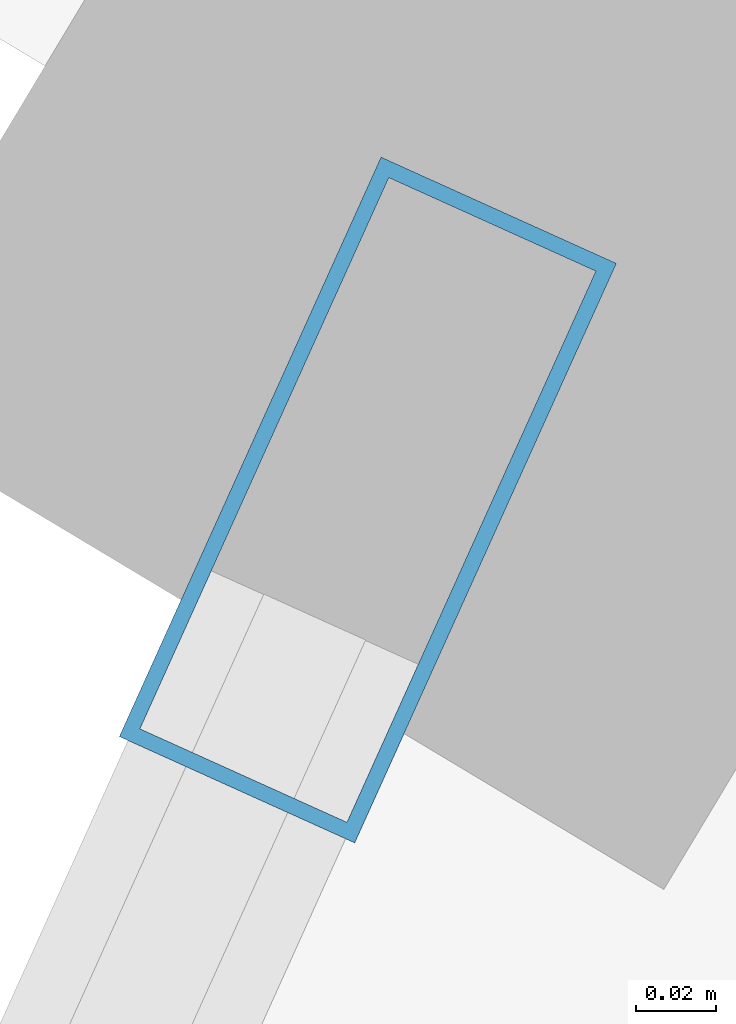
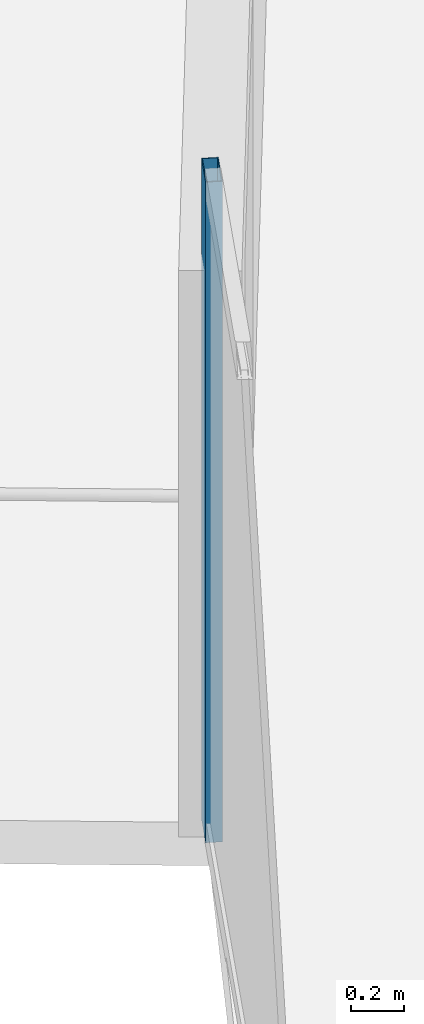
# One storey, part 11 of 33: 1 member, 1 element without a shape of its own.
"""IFC4 building model written with IfcOpenShell, lengths in metres."""

from ifc_helpers import new_model, si_unit, direction, frame, origin, origin_2d, place, context, subcontext, project, spatial, hollow_rectangle, extrude, material, layer, layer_set, material_profile, profile_set, type_object, element, aggregate, save


model = new_model("IFC4")

# Units and contexts
model_context = context("Model", 3, precision=1e-05, world=origin(), true_north=direction((0.0, 1.0)))
body_context = subcontext(model_context, "Body", "Model", "MODEL_VIEW")
ifc_project = project(units=[si_unit("LENGTHUNIT", "METRE"), si_unit("AREAUNIT", "SQUARE_METRE"), si_unit("VOLUMEUNIT", "CUBIC_METRE"), si_unit("PLANEANGLEUNIT", "RADIAN"), si_unit("MASSUNIT", "GRAM", prefix="KILO")], contexts=[model_context])

# Site, building, storey
site_placement = place(None, origin())
site = spatial("IfcSite", under=ifc_project, at=site_placement, CompositionType="ELEMENT")
building_placement = place(site_placement, origin())
building = spatial("IfcBuilding", under=site, at=building_placement, Name="Orvanel Arch Residences", CompositionType="ELEMENT")
storey_placement = place(building_placement, frame((0.0, 0.0, 209.60009765625)))
storey = spatial("IfcBuildingStorey", under=building, at=storey_placement, Name="L59", CompositionType="ELEMENT", Elevation=209.60009765625)

# Curtain wall, member
ifc_material = material(Name="Bronze-anodised aluminium AA6063-T6", Category="aluminium")
ifc_layer = layer(ifc_material, 0.175048828125)
ifc_layer_set = layer_set([ifc_layer], Name="Bronze-anodised aluminium AA6063-T6")
curtain_wall_type = type_object("IfcCurtainWallType", Name="CW4-HI-SYS", PredefinedType="NOTDEFINED", material=ifc_layer_set)
curtain_wall_placement = place(storey_placement, origin())
curtain_wall = element("IfcCurtainWall", 1, at=curtain_wall_placement, inside=storey, type_object=curtain_wall_type, Name="L59 CW4-HI-SYS Unitised Curtain Wall", PredefinedType="NOTDEFINED")
ifc_material_profile = material_profile(ifc_material, hollow_rectangle(XDim=0.06494140625, YDim=0.159912109375, WallThickness=0.00390625, at=origin_2d()), Name="ALU160x65x4")
ifc_profile_set = profile_set([ifc_material_profile], Name="Bronze-anodised aluminium AA6063-T6")
member_type = type_object("IfcMemberType", Name="MUL-160x65", PredefinedType="MULLION", material=ifc_profile_set)
member_placement = place(storey_placement, frame((16.046630859375, 24.311279296875, 0.0), z_axis=(0.0, 0.0, 1.0), x_axis=(0.911395859217, -0.411530785971, 0.0)))
member = element("IfcMember", 2, at=member_placement, type_object=member_type, Name="CW-S4 mullion 1", PredefinedType="MULLION", context=body_context, shape_type="SweptSolid", body=[
    extrude(hollow_rectangle(XDim=0.06494140625, YDim=0.159912109375, WallThickness=0.00390625, at=origin_2d()), origin(), (0.0, 0.0, 1.0), 3.059814453125),
])
aggregate(curtain_wall, [member])

save(model, "model.ifc")
